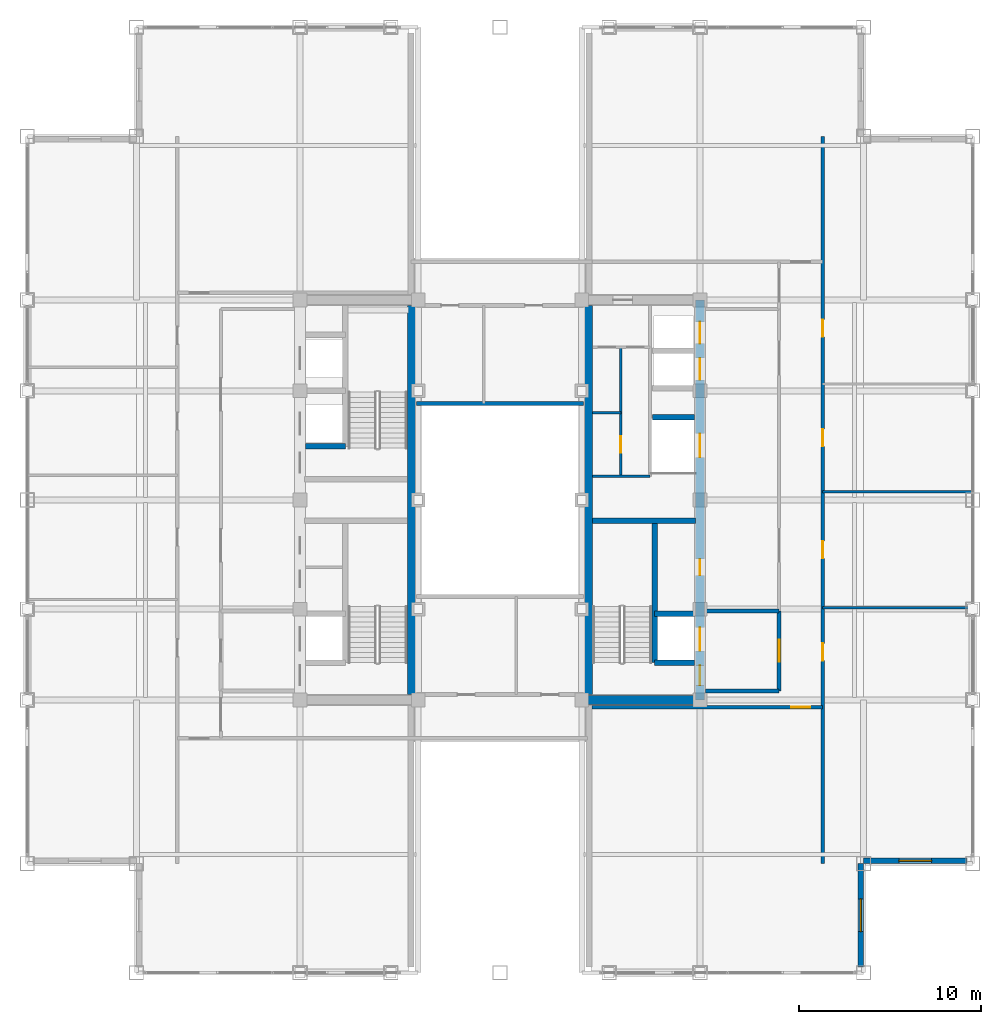
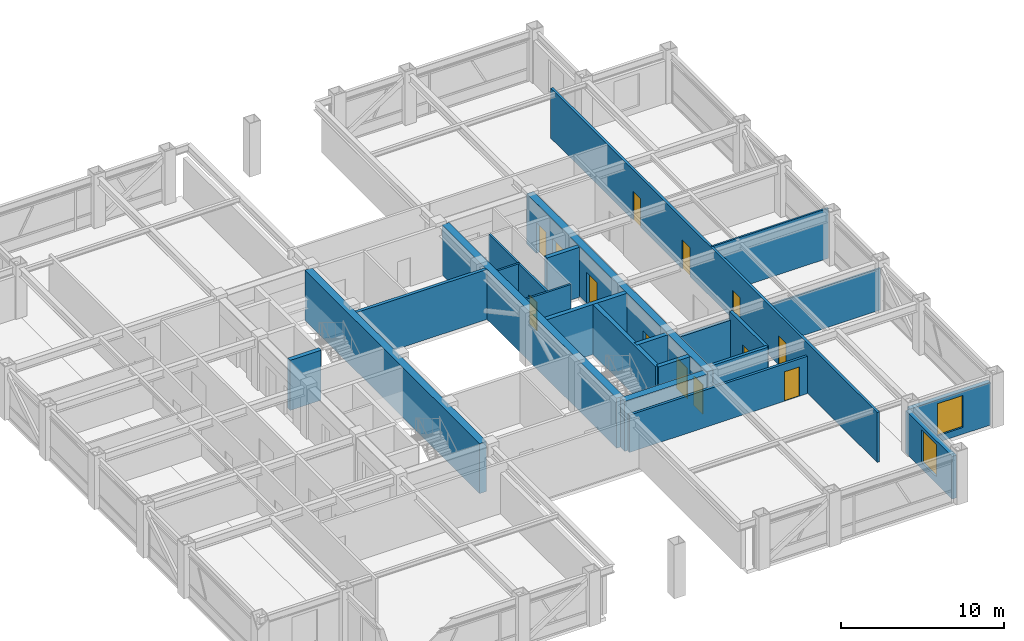
# One storey, part 26 of 29: 23 walls, 13 doors, 2 windows, 15 openings.
"""IFC4 building model written with IfcOpenShell, lengths in metres."""

from ifc_helpers import new_model, si_unit, direction, frame, frame_2d, origin, place, context, subcontext, project, spatial, rectangle, extrude, source, transform, mapped, material, layer, layer_set, type_object, element, fill, save


model = new_model("IFC4")

# Units and contexts
model_context = context("Model", 3, precision=1e-05, world=origin(), true_north=direction((0.0, 1.0)))
body_context = subcontext(model_context, "Body", "Model", "MODEL_VIEW")
ifc_project = project(units=[si_unit("LENGTHUNIT", "METRE"), si_unit("AREAUNIT", "SQUARE_METRE"), si_unit("VOLUMEUNIT", "CUBIC_METRE"), si_unit("PLANEANGLEUNIT", "RADIAN"), si_unit("MASSUNIT", "GRAM", prefix="KILO")], contexts=[model_context])

# Site, building, storey
site_placement = place(None, origin())
site = spatial("IfcSite", under=ifc_project, at=site_placement, CompositionType="ELEMENT")
building_placement = place(site_placement, origin())
building = spatial("IfcBuilding", under=site, at=building_placement, Name="Khorayat Bourse Tower", CompositionType="ELEMENT")
storey_placement = place(building_placement, frame((0.0, 0.0, 350.300048828125)))
storey = spatial("IfcBuildingStorey", under=building, at=storey_placement, Name="L83", CompositionType="ELEMENT", Elevation=350.300048828125)

# Wall, openings, doors
ifc_material_1 = material(Name="Concrete C52/65", Category="concrete")
ifc_layer_1 = layer(ifc_material_1, 0.5)
ifc_layer_set_1 = layer_set([ifc_layer_1], Name="Concrete C52/65")
wall_type_1 = type_object("IfcWallType", Name="WAL-CORE-500", PredefinedType="SHEAR", material=ifc_layer_set_1)
shared_shape_1 = source(origin(), body_context, "Body", "SweptSolid", [
    extrude(rectangle(XDim=22.0, YDim=0.5, at=frame_2d((11.0, 0.0))), origin(), (0.0, 0.0, 1.0), 3.739990234375),
])
wall_1_placement = place(storey_placement, frame((11.0, -11.0, 0.0), z_axis=(0.0, 0.0, 1.0), x_axis=(0.0, 1.0, 0.0)))
wall_1 = element("IfcWall", 1, at=wall_1_placement, inside=storey, type_object=wall_type_1, Name="L83 Core Shear Wall CORE-E", PredefinedType="SHEAR", context=body_context, shape_type="MappedRepresentation", body=[
    mapped(shared_shape_1, transform((0.0, 0.0, 0.0), scale=1.0)),
])
shared_shape_2 = source(origin(), body_context, "Body", "SweptSolid", [
    extrude(rectangle(XDim=1.10009765625, YDim=2.199951171875, at=frame_2d((0.550048828125, 1.10009765625))), frame((0.0, 0.260009765625, 0.0), z_axis=(0.0, -1.0, 0.0), x_axis=(1.0, 0.0, 0.0)), (0.0, 0.0, 1.0), 0.52001953125),
])
opening_1_placement = place(wall_1_placement, frame((0.800048828125, 0.0, 0.0)))
opening_1 = element("IfcOpeningElement", 2, at=opening_1_placement, cuts=wall_1, Name="Opening DI-01", PredefinedType="OPENING", context=body_context, shape_type="MappedRepresentation", body=[
    mapped(shared_shape_2, transform((0.0, 0.0, 0.0), scale=1.0)),
])
shared_shape_3 = source(origin(), body_context, "Body", "SweptSolid", [
    extrude(rectangle(XDim=0.89990234375, YDim=2.14990234375, at=frame_2d((0.449951171875, 1.074951171875))), frame((0.0, 0.260009765625, 0.0), z_axis=(0.0, -1.0, 0.0), x_axis=(1.0, 0.0, 0.0)), (0.0, 0.0, 1.0), 0.52001953125),
])
opening_2_placement = place(wall_1_placement, frame((6.85009765625, 0.0, 0.0)))
opening_2 = element("IfcOpeningElement", 3, at=opening_2_placement, cuts=wall_1, Name="Opening DI-06", PredefinedType="OPENING", context=body_context, shape_type="MappedRepresentation", body=[
    mapped(shared_shape_3, transform((0.0, 0.0, 0.0), scale=1.0)),
])
shared_shape_4 = source(origin(), body_context, "Body", "SweptSolid", [
    extrude(rectangle(XDim=1.199951171875, YDim=2.300048828125, at=frame_2d((0.60009765625, 1.14990234375))), frame((0.0, 0.260009765625, 0.0), z_axis=(0.0, -1.0, 0.0), x_axis=(1.0, 0.0, 0.0)), (0.0, 0.0, 1.0), 0.52001953125),
])
opening_3_placement = place(wall_1_placement, frame((17.60009765625, 0.0, 0.0)))
opening_3 = element("IfcOpeningElement", 4, at=opening_3_placement, cuts=wall_1, Name="Opening LD-01", PredefinedType="OPENING", context=body_context, shape_type="MappedRepresentation", body=[
    mapped(shared_shape_4, transform((0.0, 0.0, 0.0), scale=1.0)),
])
opening_4_placement = place(wall_1_placement, frame((19.60009765625, 0.0, 0.0)))
opening_4 = element("IfcOpeningElement", 5, at=opening_4_placement, cuts=wall_1, Name="Opening LD-01", PredefinedType="OPENING", context=body_context, shape_type="MappedRepresentation", body=[
    mapped(shared_shape_4, transform((0.0, 0.0, 0.0), scale=1.0)),
])
shared_shape_5 = source(origin(), body_context, "Body", "SweptSolid", [
    extrude(rectangle(XDim=1.300048828125, YDim=2.300048828125, at=frame_2d((0.64990234375, 1.14990234375))), frame((0.0, 0.260009765625, 0.0), z_axis=(0.0, -1.0, 0.0), x_axis=(1.0, 0.0, 0.0)), (0.0, 0.0, 1.0), 0.52001953125),
])
opening_5_placement = place(wall_1_placement, frame((2.699951171875, 0.0, 0.0)))
opening_5 = element("IfcOpeningElement", 6, at=opening_5_placement, cuts=wall_1, Name="Opening LD-02", PredefinedType="OPENING", context=body_context, shape_type="MappedRepresentation", body=[
    mapped(shared_shape_5, transform((0.0, 0.0, 0.0), scale=1.0)),
])
opening_6_placement = place(wall_1_placement, frame((13.35009765625, 0.0, 0.0)))
opening_6 = element("IfcOpeningElement", 7, at=opening_6_placement, cuts=wall_1, Name="Opening LD-02", PredefinedType="OPENING", context=body_context, shape_type="MappedRepresentation", body=[
    mapped(shared_shape_5, transform((0.0, 0.0, 0.0), scale=1.0)),
])
ifc_material_2 = material(Name="Fire-rated steel acoustic leaf", Category="steel")
door_type_1 = type_object("IfcDoorType", Name="DR-INT-STAIR-1100", OperationType="NOTDEFINED", PredefinedType="DOOR", material=ifc_material_2)
shared_shape_6 = source(origin(), body_context, "Body", "SweptSolid", [
    extrude(rectangle(XDim=1.10009765625, YDim=2.199951171875, at=frame_2d((0.550048828125, 1.10009765625))), frame((0.0, 0.02490234375, 0.0), z_axis=(0.0, -1.0, 0.0), x_axis=(1.0, 0.0, 0.0)), (0.0, 0.0, 1.0), 0.050048828125),
])
door_1_placement = place(opening_1_placement, origin())
door_1 = element("IfcDoor", 8, at=door_1_placement, inside=storey, type_object=door_type_1, Name="L83 Exit Stair 3 Door", OperationType="SINGLE_SWING_LEFT", OverallHeight=2.199951171875, OverallWidth=1.10009765625, PredefinedType="DOOR", context=body_context, shape_type="MappedRepresentation", body=[
    mapped(shared_shape_6, transform((0.0, 0.0, 0.0), scale=1.0)),
])
fill(opening_1, door_1)
ifc_material_3 = material(Name="Moisture-resistant laminate washroom door")
door_type_2 = type_object("IfcDoorType", Name="DR-INT-WC-900", OperationType="NOTDEFINED", PredefinedType="DOOR", material=ifc_material_3)
shared_shape_7 = source(origin(), body_context, "Body", "SweptSolid", [
    extrude(rectangle(XDim=0.89990234375, YDim=2.14990234375, at=frame_2d((0.449951171875, 1.074951171875))), frame((0.0, 0.02490234375, 0.0), z_axis=(0.0, -1.0, 0.0), x_axis=(1.0, 0.0, 0.0)), (0.0, 0.0, 1.0), 0.050048828125),
])
door_2_placement = place(opening_2_placement, origin())
door_2 = element("IfcDoor", 9, at=door_2_placement, inside=storey, type_object=door_type_2, Name="L83 Telecom Server Plant Room Door", OperationType="SINGLE_SWING_LEFT", OverallHeight=2.14990234375, OverallWidth=0.89990234375, PredefinedType="DOOR", context=body_context, shape_type="MappedRepresentation", body=[
    mapped(shared_shape_7, transform((0.0, 0.0, 0.0), scale=1.0)),
])
fill(opening_2, door_2)
ifc_material_4 = material(Name="Brushed bronze stainless-steel sliding door", Category="steel")
door_type_3 = type_object("IfcDoorType", Name="DR-LIFT-PASS-1200", OperationType="NOTDEFINED", PredefinedType="DOOR", material=ifc_material_4)
shared_shape_8 = source(origin(), body_context, "Body", "SweptSolid", [
    extrude(rectangle(XDim=1.199951171875, YDim=2.300048828125, at=frame_2d((0.60009765625, 1.14990234375))), frame((0.0, 0.02490234375, 0.0), z_axis=(0.0, -1.0, 0.0), x_axis=(1.0, 0.0, 0.0)), (0.0, 0.0, 1.0), 0.050048828125),
])
door_3_placement = place(opening_3_placement, origin())
door_3 = element("IfcDoor", 10, at=door_3_placement, inside=storey, type_object=door_type_3, Name="L83 Lift PL-H3 Sliding Landing Door", OperationType="SLIDING_TO_LEFT", OverallHeight=2.300048828125, OverallWidth=1.199951171875, PredefinedType="DOOR", context=body_context, shape_type="MappedRepresentation", body=[
    mapped(shared_shape_8, transform((0.0, 0.0, 0.0), scale=1.0)),
])
fill(opening_3, door_3)
door_4_placement = place(opening_4_placement, origin())
door_4 = element("IfcDoor", 11, at=door_4_placement, inside=storey, type_object=door_type_3, Name="L83 Lift PL-H4 Sliding Landing Door", OperationType="SLIDING_TO_LEFT", OverallHeight=2.300048828125, OverallWidth=1.199951171875, PredefinedType="DOOR", context=body_context, shape_type="MappedRepresentation", body=[
    mapped(shared_shape_8, transform((0.0, 0.0, 0.0), scale=1.0)),
])
fill(opening_4, door_4)
ifc_material_5 = material(Name="Fire-rated stainless-steel sliding landing door", Category="steel")
door_type_4 = type_object("IfcDoorType", Name="DR-LIFT-FF-1300", OperationType="NOTDEFINED", PredefinedType="DOOR", material=ifc_material_5)
shared_shape_9 = source(origin(), body_context, "Body", "SweptSolid", [
    extrude(rectangle(XDim=1.300048828125, YDim=2.300048828125, at=frame_2d((0.64990234375, 1.14990234375))), frame((0.0, 0.02490234375, 0.0), z_axis=(0.0, -1.0, 0.0), x_axis=(1.0, 0.0, 0.0)), (0.0, 0.0, 1.0), 0.050048828125),
])
door_5_placement = place(opening_5_placement, origin())
door_5 = element("IfcDoor", 12, at=door_5_placement, inside=storey, type_object=door_type_4, Name="L83 Lift FFL-02 Sliding Landing Door", OperationType="SLIDING_TO_LEFT", OverallHeight=2.300048828125, OverallWidth=1.300048828125, PredefinedType="DOOR", context=body_context, shape_type="MappedRepresentation", body=[
    mapped(shared_shape_9, transform((0.0, 0.0, 0.0), scale=1.0)),
])
fill(opening_5, door_5)
door_6_placement = place(opening_6_placement, origin())
door_6 = element("IfcDoor", 13, at=door_6_placement, inside=storey, type_object=door_type_4, Name="L83 Lift SVL-01 Sliding Landing Door", OperationType="SLIDING_TO_LEFT", OverallHeight=2.300048828125, OverallWidth=1.300048828125, PredefinedType="DOOR", context=body_context, shape_type="MappedRepresentation", body=[
    mapped(shared_shape_9, transform((0.0, 0.0, 0.0), scale=1.0)),
])
fill(opening_6, door_6)

# Walls
shared_shape_10 = source(origin(), body_context, "Body", "SweptSolid", [
    extrude(rectangle(XDim=21.39990234375, YDim=0.5, at=frame_2d((10.699951171875, 0.0))), origin(), (0.0, 0.0, 1.0), 3.739990234375),
])
for number, where, z_axis, x_axis, name in (
    (14, (-4.85009765625, -10.699951171875, 0.0), (0.0, 0.0, 1.0), (0.0, 1.0, 0.0), "L83 Core Shear Wall PIER-W"),
    (15, (4.85009765625, -10.699951171875, 0.0), (0.0, 0.0, 1.0), (0.0, 1.0, 0.0), "L83 Core Shear Wall PIER-E"),
):
    element("IfcWall", number, at=place(storey_placement, frame(where, z_axis=z_axis, x_axis=x_axis)), inside=storey, type_object=wall_type_1, Name=name, PredefinedType="SHEAR", context=body_context, shape_type="MappedRepresentation", body=[
        mapped(shared_shape_10, transform((0.0, 0.0, 0.0), scale=1.0)),
    ])
shared_shape_11 = source(origin(), body_context, "Body", "SweptSolid", [
    extrude(rectangle(XDim=5.89990234375, YDim=0.5, at=frame_2d((2.949951171875, 0.0))), origin(), (0.0, 0.0, 1.0), 3.739990234375),
])
wall_2_placement = place(storey_placement, frame((4.85009765625, -11.0, 0.0), z_axis=(0.0, 0.0, 1.0), x_axis=(1.0, 0.0, 0.0)))
element("IfcWall", 16, at=wall_2_placement, inside=storey, type_object=wall_type_1, Name="L83 Core Shear Wall PIER-ES", PredefinedType="SHEAR", context=body_context, shape_type="MappedRepresentation", body=[
    mapped(shared_shape_11, transform((0.0, 0.0, 0.0), scale=1.0)),
])
ifc_material_6 = material(Name="Concrete C50/60", Category="concrete")
ifc_layer_2 = layer(ifc_material_6, 0.300048828125)
ifc_layer_set_2 = layer_set([ifc_layer_2], Name="Concrete C50/60")
wall_type_2 = type_object("IfcWallType", Name="WAL-SHAFT-300", PredefinedType="SHEAR", material=ifc_layer_set_2)
shared_shape_12 = source(origin(), body_context, "Body", "SweptSolid", [
    extrude(rectangle(XDim=5.64990234375, YDim=0.300048828125, at=frame_2d((2.824951171875, 0.0))), origin(), (0.0, 0.0, 1.0), 3.739990234375),
])
wall_3_placement = place(storey_placement, frame((5.10009765625, -1.14990234375, 0.0), z_axis=(0.0, 0.0, 1.0), x_axis=(1.0, 0.0, 0.0)))
element("IfcWall", 17, at=wall_3_placement, inside=storey, type_object=wall_type_2, Name="L83 Core Shear Wall ST3-DIV", PredefinedType="SHEAR", context=body_context, shape_type="MappedRepresentation", body=[
    mapped(shared_shape_12, transform((0.0, 0.0, 0.0), scale=1.0)),
])

# Wall, opening, window
ifc_material_7 = material(Name="Precast concrete C45/55", Category="concrete")
ifc_layer_3 = layer(ifc_material_7, 0.320068359375)
ifc_layer_set_3 = layer_set([ifc_layer_3], Name="Precast concrete C45/55")
wall_type_3 = type_object("IfcWallType", Name="WAL-EXT-STONE-320", PredefinedType="STANDARD", material=ifc_layer_set_3)
shared_shape_13 = source(origin(), body_context, "Body", "SweptSolid", [
    extrude(rectangle(XDim=5.679931640625, YDim=0.320068359375, at=frame_2d((2.83984375, 0.0))), origin(), (0.0, 0.0, 1.0), 3.19091796875),
])
wall_4_placement = place(storey_placement, frame((19.840087890625, -25.679931640625, 0.0), z_axis=(0.0, 0.0, 1.0), x_axis=(0.0, 1.0, 0.0)))
wall_4 = element("IfcWall", 18, at=wall_4_placement, inside=storey, type_object=wall_type_3, Name="L83 Re-Entrant Notch Limestone Wall SE-V", PredefinedType="STANDARD", context=body_context, shape_type="MappedRepresentation", body=[
    mapped(shared_shape_13, transform((0.0, 0.0, 0.0), scale=1.0)),
])
shared_shape_14 = source(origin(), body_context, "Body", "SweptSolid", [
    extrude(rectangle(XDim=1.800048828125, YDim=2.39990234375, at=frame_2d((0.89990234375, 1.199951171875))), frame((0.0, 0.169921875, 0.0), z_axis=(0.0, -1.0, 0.0), x_axis=(1.0, 0.0, 0.0)), (0.0, 0.0, 1.0), 0.340087890625),
])
opening_7_placement = place(wall_4_placement, frame((1.93994140625, 0.0, 0.5)))
opening_7 = element("IfcOpeningElement", 19, at=opening_7_placement, cuts=wall_4, Name="Opening WN-04", PredefinedType="OPENING", context=body_context, shape_type="MappedRepresentation", body=[
    mapped(shared_shape_14, transform((0.0, 0.0, 0.0), scale=1.0)),
])
ifc_material_8 = material(Name="Low-E acoustic laminated double glazing", Category="glass")
window_type = type_object("IfcWindowType", Name="WIN-NOTCH-1800x2400", PartitioningType="SINGLE_PANEL", PredefinedType="WINDOW", material=ifc_material_8)
shared_shape_15 = source(origin(), body_context, "Body", "SweptSolid", [
    extrude(rectangle(XDim=1.800048828125, YDim=2.39990234375, at=frame_2d((0.89990234375, 1.199951171875))), frame((0.0, 0.030029296875, 0.0), z_axis=(0.0, -1.0, 0.0), x_axis=(1.0, 0.0, 0.0)), (0.0, 0.0, 1.0), 0.06005859375),
])
window_1_placement = place(opening_7_placement, origin())
window_1 = element("IfcWindow", 20, at=window_1_placement, inside=storey, type_object=window_type, Name="L83 Facade Window 1", OverallHeight=2.39990234375, OverallWidth=1.800048828125, PartitioningType="SINGLE_PANEL", PredefinedType="WINDOW", context=body_context, shape_type="MappedRepresentation", body=[
    mapped(shared_shape_15, transform((0.0, 0.0, 0.0), scale=1.0)),
])
fill(opening_7, window_1)

wall_5_placement = place(storey_placement, frame((20.0, -19.840087890625, 0.0), z_axis=(0.0, 0.0, 1.0), x_axis=(1.0, 0.0, 0.0)))
wall_5 = element("IfcWall", 21, at=wall_5_placement, inside=storey, type_object=wall_type_3, Name="L83 Re-Entrant Notch Limestone Wall SE-H", PredefinedType="STANDARD", context=body_context, shape_type="MappedRepresentation", body=[
    mapped(shared_shape_13, transform((0.0, 0.0, 0.0), scale=1.0)),
])
opening_8_placement = place(wall_5_placement, frame((1.93994140625, 0.0, 0.5)))
opening_8 = element("IfcOpeningElement", 22, at=opening_8_placement, cuts=wall_5, Name="Opening WN-04", PredefinedType="OPENING", context=body_context, shape_type="MappedRepresentation", body=[
    mapped(shared_shape_14, transform((0.0, 0.0, 0.0), scale=1.0)),
])
window_2_placement = place(opening_8_placement, origin())
window_2 = element("IfcWindow", 23, at=window_2_placement, inside=storey, type_object=window_type, Name="L83 Facade Window 1", OverallHeight=2.39990234375, OverallWidth=1.800048828125, PartitioningType="SINGLE_PANEL", PredefinedType="WINDOW", context=body_context, shape_type="MappedRepresentation", body=[
    mapped(shared_shape_15, transform((0.0, 0.0, 0.0), scale=1.0)),
])
fill(opening_8, window_2)

# Walls
shared_shape_16 = source(origin(), body_context, "Body", "SweptSolid", [
    extrude(rectangle(XDim=7.800048828125, YDim=0.300048828125, at=frame_2d((3.89990234375, 0.0))), origin(), (0.0, 0.0, 1.0), 3.739990234375),
])
wall_6_placement = place(storey_placement, frame((8.5, -8.949951171875, 0.0), z_axis=(0.0, 0.0, 1.0), x_axis=(0.0, 1.0, 0.0)))
element("IfcWall", 24, at=wall_6_placement, inside=storey, type_object=wall_type_2, Name="L83 Partition WAL-L83-EPIER-SP", PredefinedType="SHEAR", context=body_context, shape_type="MappedRepresentation", body=[
    mapped(shared_shape_16, transform((0.0, 0.0, 0.0), scale=1.0)),
])
shared_shape_17 = source(origin(), body_context, "Body", "SweptSolid", [
    extrude(rectangle(XDim=2.199951171875, YDim=0.300048828125, at=frame_2d((1.10009765625, 0.0))), origin(), (0.0, 0.0, 1.0), 3.739990234375),
])
for number, where, z_axis, x_axis, name in (
    (25, (-10.699951171875, 2.949951171875, 0.0), (0.0, 0.0, 1.0), (1.0, 0.0, 0.0), "L83 Partition WAL-L83-WPIER-H1S"),
    (26, (8.5, -8.949951171875, 0.0), (0.0, 0.0, 1.0), (1.0, 0.0, 0.0), "L83 Partition WAL-L83-EPIER-FF2S"),
    (27, (8.5, -6.25, 0.0), (0.0, 0.0, 1.0), (1.0, 0.0, 0.0), "L83 Partition WAL-L83-EPIER-FF2N"),
):
    element("IfcWall", number, at=place(storey_placement, frame(where, z_axis=z_axis, x_axis=x_axis)), inside=storey, type_object=wall_type_2, Name=name, PredefinedType="SHEAR", context=body_context, shape_type="MappedRepresentation", body=[
        mapped(shared_shape_17, transform((0.0, 0.0, 0.0), scale=1.0)),
    ])
shared_shape_18 = source(origin(), body_context, "Body", "SweptSolid", [
    extrude(rectangle(XDim=2.300048828125, YDim=0.300048828125, at=frame_2d((1.14990234375, 0.0))), origin(), (0.0, 0.0, 1.0), 3.739990234375),
])
wall_7_placement = place(storey_placement, frame((8.39990234375, 4.550048828125, 0.0), z_axis=(0.0, 0.0, 1.0), x_axis=(1.0, 0.0, 0.0)))
element("IfcWall", 28, at=wall_7_placement, inside=storey, type_object=wall_type_2, Name="L83 Partition WAL-L83-EPIER-SVLN", PredefinedType="SHEAR", context=body_context, shape_type="MappedRepresentation", body=[
    mapped(shared_shape_18, transform((0.0, 0.0, 0.0), scale=1.0)),
])
ifc_material_9 = material(Name="Moisture-resistant masonry partition", Category="masonry")
ifc_layer_4 = layer(ifc_material_9, 0.139892578125)
ifc_layer_set_4 = layer_set([ifc_layer_4], Name="Moisture-resistant masonry partition")
wall_type_4 = type_object("IfcWallType", Name="WAL-PART-WET-140", PredefinedType="PARTITIONING", material=ifc_layer_set_4)
shared_shape_19 = source(origin(), body_context, "Body", "SweptSolid", [
    extrude(rectangle(XDim=3.14990234375, YDim=0.139892578125, at=frame_2d((1.574951171875, 0.0))), origin(), (0.0, 0.0, 1.0), 3.739990234375),
])
wall_8_placement = place(storey_placement, frame((5.10009765625, 1.300048828125, 0.0), z_axis=(0.0, 0.0, 1.0), x_axis=(1.0, 0.0, 0.0)))
element("IfcWall", 29, at=wall_8_placement, inside=storey, type_object=wall_type_4, Name="L83 Partition WAL-L83-ECORE-S", PredefinedType="PARTITIONING", context=body_context, shape_type="MappedRepresentation", body=[
    mapped(shared_shape_19, transform((0.0, 0.0, 0.0), scale=1.0)),
])
ifc_material_10 = material(Name="Aerated concrete blockwork", Category="masonry")
ifc_layer_5 = layer(ifc_material_10, 0.219970703125)
ifc_layer_set_5 = layer_set([ifc_layer_5], Name="Aerated concrete blockwork")
wall_type_5 = type_object("IfcWallType", Name="WAL-PART-FF-220", PredefinedType="PARTITIONING", material=ifc_layer_set_5)
shared_shape_20 = source(origin(), body_context, "Body", "SweptSolid", [
    extrude(rectangle(XDim=4.050048828125, YDim=0.219970703125, at=frame_2d((2.02490234375, 0.0))), origin(), (0.0, 0.0, 1.0), 3.739990234375),
])
wall_9_placement = place(storey_placement, frame((11.300048828125, -10.5, 0.0), z_axis=(0.0, 0.0, 1.0), x_axis=(1.0, 0.0, 0.0)))
element("IfcWall", 30, at=wall_9_placement, inside=storey, type_object=wall_type_5, Name="L83 Partition WAL-L83-FFLE-S", PredefinedType="PARTITIONING", context=body_context, shape_type="MappedRepresentation", body=[
    mapped(shared_shape_20, transform((0.0, 0.0, 0.0), scale=1.0)),
])
shared_shape_21 = source(origin(), body_context, "Body", "SweptSolid", [
    extrude(rectangle(XDim=4.050048828125, YDim=0.219970703125, at=frame_2d((2.02490234375, 0.0))), origin(), (0.0, 0.0, 1.0), 3.1240234375),
])
wall_10_placement = place(storey_placement, frame((11.300048828125, -6.10009765625, 0.0), z_axis=(0.0, 0.0, 1.0), x_axis=(1.0, 0.0, 0.0)))
element("IfcWall", 31, at=wall_10_placement, inside=storey, type_object=wall_type_5, Name="L83 Partition WAL-L83-FFLE-N", PredefinedType="PARTITIONING", context=body_context, shape_type="MappedRepresentation", body=[
    mapped(shared_shape_21, transform((0.0, 0.0, 0.0), scale=1.0)),
])

# Wall, opening, door
shared_shape_22 = source(origin(), body_context, "Body", "SweptSolid", [
    extrude(rectangle(XDim=4.39990234375, YDim=0.219970703125, at=frame_2d((2.199951171875, 0.0))), origin(), (0.0, 0.0, 1.0), 3.739990234375),
])
wall_11_placement = place(storey_placement, frame((15.35009765625, -10.5, 0.0), z_axis=(0.0, 0.0, 1.0), x_axis=(0.0, 1.0, 0.0)))
wall_11 = element("IfcWall", 32, at=wall_11_placement, inside=storey, type_object=wall_type_5, Name="L83 Partition WAL-L83-FFLE-E", PredefinedType="PARTITIONING", context=body_context, shape_type="MappedRepresentation", body=[
    mapped(shared_shape_22, transform((0.0, 0.0, 0.0), scale=1.0)),
])
shared_shape_23 = source(origin(), body_context, "Body", "SweptSolid", [
    extrude(rectangle(XDim=1.199951171875, YDim=2.199951171875, at=frame_2d((0.60009765625, 1.10009765625))), frame((0.0, 0.119873046875, 0.0), z_axis=(0.0, -1.0, 0.0), x_axis=(1.0, 0.0, 0.0)), (0.0, 0.0, 1.0), 0.239990234375),
])
opening_9_placement = place(wall_11_placement, frame((1.60009765625, 0.0, 0.0)))
opening_9 = element("IfcOpeningElement", 33, at=opening_9_placement, cuts=wall_11, Name="Opening DI-02", PredefinedType="OPENING", context=body_context, shape_type="MappedRepresentation", body=[
    mapped(shared_shape_23, transform((0.0, 0.0, 0.0), scale=1.0)),
])
ifc_material_11 = material(Name="Fire-rated steel double-seal leaf", Category="steel")
door_type_5 = type_object("IfcDoorType", Name="DR-INT-FFLOBBY-1200", OperationType="NOTDEFINED", PredefinedType="DOOR", material=ifc_material_11)
shared_shape_24 = source(origin(), body_context, "Body", "SweptSolid", [
    extrude(rectangle(XDim=1.199951171875, YDim=2.199951171875, at=frame_2d((0.60009765625, 1.10009765625))), frame((0.0, 0.02490234375, 0.0), z_axis=(0.0, -1.0, 0.0), x_axis=(1.0, 0.0, 0.0)), (0.0, 0.0, 1.0), 0.050048828125),
])
door_7_placement = place(opening_9_placement, origin())
door_7 = element("IfcDoor", 34, at=door_7_placement, inside=storey, type_object=door_type_5, Name="L83 East Firefighting Lobby Door", OperationType="SINGLE_SWING_RIGHT", OverallHeight=2.199951171875, OverallWidth=1.199951171875, PredefinedType="DOOR", context=body_context, shape_type="MappedRepresentation", body=[
    mapped(shared_shape_24, transform((0.0, 0.0, 0.0), scale=1.0)),
])
fill(opening_9, door_7)

# Wall
shared_shape_25 = source(origin(), body_context, "Body", "SweptSolid", [
    extrude(rectangle(XDim=9.2001953125, YDim=0.219970703125, at=frame_2d((4.60009765625, 0.0))), origin(), (0.0, 0.0, 1.0), 3.739990234375),
])
wall_12_placement = place(storey_placement, frame((-4.60009765625, 5.300048828125, 0.0), z_axis=(0.0, 0.0, 1.0), x_axis=(1.0, 0.0, 0.0)))
element("IfcWall", 35, at=wall_12_placement, inside=storey, type_object=wall_type_5, Name="L83 Partition WAL-L83-WPB2-S", PredefinedType="PARTITIONING", context=body_context, shape_type="MappedRepresentation", body=[
    mapped(shared_shape_25, transform((0.0, 0.0, 0.0), scale=1.0)),
])

# Wall, opening, door
ifc_material_12 = material(Name="Gypsum plasterboard acoustic stud wall")
ifc_layer_6 = layer(ifc_material_12, 0.179931640625)
ifc_layer_set_6 = layer_set([ifc_layer_6], Name="Gypsum plasterboard acoustic stud wall")
wall_type_6 = type_object("IfcWallType", Name="WAL-PART-CORR-180", PredefinedType="PARTITIONING", material=ifc_layer_set_6)
shared_shape_26 = source(origin(), body_context, "Body", "SweptSolid", [
    extrude(rectangle(XDim=12.699951171875, YDim=0.179931640625, at=frame_2d((6.35009765625, 0.0))), origin(), (0.0, 0.0, 1.0), 2.7900390625),
])
wall_13_placement = place(storey_placement, frame((5.050048828125, -11.39990234375, 0.0), z_axis=(0.0, 0.0, 1.0), x_axis=(1.0, 0.0, 0.0)))
wall_13 = element("IfcWall", 36, at=wall_13_placement, inside=storey, type_object=wall_type_6, Name="L83 Partition WAL-L83-EPS-N", PredefinedType="PARTITIONING", context=body_context, shape_type="MappedRepresentation", body=[
    mapped(shared_shape_26, transform((0.0, 0.0, 0.0), scale=1.0)),
])
shared_shape_27 = source(origin(), body_context, "Body", "SweptSolid", [
    extrude(rectangle(XDim=1.050048828125, YDim=2.199951171875, at=frame_2d((0.52490234375, 1.10009765625))), frame((0.0, 0.099853515625, 0.0), z_axis=(0.0, -1.0, 0.0), x_axis=(1.0, 0.0, 0.0)), (0.0, 0.0, 1.0), 0.199951171875),
])
opening_10_placement = place(wall_13_placement, frame((10.97509765625, 0.0, 0.0)))
opening_10 = element("IfcOpeningElement", 37, at=opening_10_placement, cuts=wall_13, Name="Opening DI-04", PredefinedType="OPENING", context=body_context, shape_type="MappedRepresentation", body=[
    mapped(shared_shape_27, transform((0.0, 0.0, 0.0), scale=1.0)),
])
ifc_material_13 = material(Name="Fire-rated oak veneer suite entrance door")
door_type_6 = type_object("IfcDoorType", Name="DR-INT-SUITE-1050", OperationType="NOTDEFINED", PredefinedType="DOOR", material=ifc_material_13)
shared_shape_28 = source(origin(), body_context, "Body", "SweptSolid", [
    extrude(rectangle(XDim=1.050048828125, YDim=2.199951171875, at=frame_2d((0.52490234375, 1.10009765625))), frame((0.0, 0.02490234375, 0.0), z_axis=(0.0, -1.0, 0.0), x_axis=(1.0, 0.0, 0.0)), (0.0, 0.0, 1.0), 0.050048828125),
])
door_8_placement = place(opening_10_placement, origin())
door_8 = element("IfcDoor", 38, at=door_8_placement, inside=storey, type_object=door_type_6, Name="L83 East Portal Lounge Door", OperationType="SINGLE_SWING_LEFT", OverallHeight=2.199951171875, OverallWidth=1.050048828125, PredefinedType="DOOR", context=body_context, shape_type="MappedRepresentation", body=[
    mapped(shared_shape_28, transform((0.0, 0.0, 0.0), scale=1.0)),
])
fill(opening_10, door_8)

# Wall
ifc_material_14 = material(Name="Gypsum plasterboard partition")
ifc_layer_7 = layer(ifc_material_14, 0.125)
ifc_layer_set_7 = layer_set([ifc_layer_7], Name="Gypsum plasterboard partition")
wall_type_7 = type_object("IfcWallType", Name="WAL-PART-ROOM-125", PredefinedType="PARTITIONING", material=ifc_layer_set_7)
shared_shape_29 = source(origin(), body_context, "Body", "SweptSolid", [
    extrude(rectangle(XDim=8.25, YDim=0.125, at=frame_2d((4.125, 0.0))), origin(), (0.0, 0.0, 1.0), 3.739990234375),
])
wall_14_placement = place(storey_placement, frame((17.75, 0.4560546875, 0.0), z_axis=(0.0, 0.0, 1.0), x_axis=(1.0, 0.0, 0.0)))
element("IfcWall", 39, at=wall_14_placement, inside=storey, type_object=wall_type_7, Name="L83 Partition WAL-L83-WPEDV-2", PredefinedType="PARTITIONING", context=body_context, shape_type="MappedRepresentation", body=[
    mapped(shared_shape_29, transform((0.0, 0.0, 0.0), scale=1.0)),
])

# Wall, openings, doors
shared_shape_30 = source(origin(), body_context, "Body", "SweptSolid", [
    extrude(rectangle(XDim=40.0, YDim=0.179931640625, at=frame_2d((20.0, 0.0))), origin(), (0.0, 0.0, 1.0), 3.739990234375),
])
wall_15_placement = place(storey_placement, frame((17.75, -20.0, 0.0), z_axis=(0.0, 0.0, 1.0), x_axis=(0.0, 1.0, 0.0)))
wall_15 = element("IfcWall", 40, at=wall_15_placement, inside=storey, type_object=wall_type_6, Name="L83 Partition WAL-L83-WPECORR", PredefinedType="PARTITIONING", context=body_context, shape_type="MappedRepresentation", body=[
    mapped(shared_shape_30, transform((0.0, 0.0, 0.0), scale=1.0)),
])
shared_shape_31 = source(origin(), body_context, "Body", "SweptSolid", [
    extrude(rectangle(XDim=0.949951171875, YDim=2.14990234375, at=frame_2d((0.47509765625, 1.074951171875))), frame((0.0, 0.099853515625, 0.0), z_axis=(0.0, -1.0, 0.0), x_axis=(1.0, 0.0, 0.0)), (0.0, 0.0, 1.0), 0.199951171875),
])
opening_11_placement = place(wall_15_placement, frame((11.160888671875, 0.0, 0.0)))
opening_11 = element("IfcOpeningElement", 41, at=opening_11_placement, cuts=wall_15, Name="Opening DI-05", PredefinedType="OPENING", context=body_context, shape_type="MappedRepresentation", body=[
    mapped(shared_shape_31, transform((0.0, 0.0, 0.0), scale=1.0)),
])
opening_12_placement = place(wall_15_placement, frame((16.7890625, 0.0, 0.0)))
opening_12 = element("IfcOpeningElement", 42, at=opening_12_placement, cuts=wall_15, Name="Opening DI-05", PredefinedType="OPENING", context=body_context, shape_type="MappedRepresentation", body=[
    mapped(shared_shape_31, transform((0.0, 0.0, 0.0), scale=1.0)),
])
opening_13_placement = place(wall_15_placement, frame((22.945068359375, 0.0, 0.0)))
opening_13 = element("IfcOpeningElement", 43, at=opening_13_placement, cuts=wall_15, Name="Opening DI-05", PredefinedType="OPENING", context=body_context, shape_type="MappedRepresentation", body=[
    mapped(shared_shape_31, transform((0.0, 0.0, 0.0), scale=1.0)),
])
opening_14_placement = place(wall_15_placement, frame((28.967041015625, 0.0, 0.0)))
opening_14 = element("IfcOpeningElement", 44, at=opening_14_placement, cuts=wall_15, Name="Opening DI-05", PredefinedType="OPENING", context=body_context, shape_type="MappedRepresentation", body=[
    mapped(shared_shape_31, transform((0.0, 0.0, 0.0), scale=1.0)),
])
ifc_material_15 = material(Name="Acoustic oak veneer office door")
door_type_7 = type_object("IfcDoorType", Name="DR-INT-OFFICE-950", OperationType="NOTDEFINED", PredefinedType="DOOR", material=ifc_material_15)
shared_shape_32 = source(origin(), body_context, "Body", "SweptSolid", [
    extrude(rectangle(XDim=0.949951171875, YDim=2.14990234375, at=frame_2d((0.47509765625, 1.074951171875))), frame((0.0, 0.02490234375, 0.0), z_axis=(0.0, -1.0, 0.0), x_axis=(1.0, 0.0, 0.0)), (0.0, 0.0, 1.0), 0.050048828125),
])
door_9_placement = place(opening_11_placement, origin())
door_9 = element("IfcDoor", 45, at=door_9_placement, inside=storey, type_object=door_type_7, Name="L83 Market Risk Analytics Workspace WPE1 Door", OperationType="SINGLE_SWING_RIGHT", OverallHeight=2.14990234375, OverallWidth=0.949951171875, PredefinedType="DOOR", context=body_context, shape_type="MappedRepresentation", body=[
    mapped(shared_shape_32, transform((0.0, 0.0, 0.0), scale=1.0)),
])
fill(opening_11, door_9)
door_10_placement = place(opening_12_placement, origin())
door_10 = element("IfcDoor", 46, at=door_10_placement, inside=storey, type_object=door_type_7, Name="L83 Market Reference Library WPE2 Door", OperationType="SINGLE_SWING_LEFT", OverallHeight=2.14990234375, OverallWidth=0.949951171875, PredefinedType="DOOR", context=body_context, shape_type="MappedRepresentation", body=[
    mapped(shared_shape_32, transform((0.0, 0.0, 0.0), scale=1.0)),
])
fill(opening_12, door_10)
door_11_placement = place(opening_13_placement, origin())
door_11 = element("IfcDoor", 47, at=door_11_placement, inside=storey, type_object=door_type_7, Name="L83 Members Exchange Lounge WPE3 Door", OperationType="SINGLE_SWING_RIGHT", OverallHeight=2.14990234375, OverallWidth=0.949951171875, PredefinedType="DOOR", context=body_context, shape_type="MappedRepresentation", body=[
    mapped(shared_shape_32, transform((0.0, 0.0, 0.0), scale=1.0)),
])
fill(opening_13, door_11)
door_12_placement = place(opening_14_placement, origin())
door_12 = element("IfcDoor", 48, at=door_12_placement, inside=storey, type_object=door_type_7, Name="L83 Equities Trading Desk WPE4 Door", OperationType="SINGLE_SWING_LEFT", OverallHeight=2.14990234375, OverallWidth=0.949951171875, PredefinedType="DOOR", context=body_context, shape_type="MappedRepresentation", body=[
    mapped(shared_shape_32, transform((0.0, 0.0, 0.0), scale=1.0)),
])
fill(opening_14, door_12)

# Wall
shared_shape_33 = source(origin(), body_context, "Body", "SweptSolid", [
    extrude(rectangle(XDim=8.25, YDim=0.125, at=frame_2d((4.125, 0.0))), origin(), (0.0, 0.0, 1.0), 3.1240234375),
])
wall_16_placement = place(storey_placement, frame((17.75, -5.927978515625, 0.0), z_axis=(0.0, 0.0, 1.0), x_axis=(1.0, 0.0, 0.0)))
element("IfcWall", 49, at=wall_16_placement, inside=storey, type_object=wall_type_7, Name="L83 Partition WAL-L83-WPEDV-1", PredefinedType="PARTITIONING", context=body_context, shape_type="MappedRepresentation", body=[
    mapped(shared_shape_33, transform((0.0, 0.0, 0.0), scale=1.0)),
])

# Wall, opening, door
shared_shape_34 = source(origin(), body_context, "Body", "SweptSolid", [
    extrude(rectangle(XDim=7.099853515625, YDim=0.139892578125, at=frame_2d((3.5498046875, 0.0))), origin(), (0.0, 0.0, 1.0), 3.739990234375),
])
wall_17_placement = place(storey_placement, frame((6.64990234375, 1.300048828125, 0.0), z_axis=(0.0, 0.0, 1.0), x_axis=(0.0, 1.0, 0.0)))
wall_17 = element("IfcWall", 50, at=wall_17_placement, inside=storey, type_object=wall_type_4, Name="L83 Partition WAL-L83-ECW-MID", PredefinedType="PARTITIONING", context=body_context, shape_type="MappedRepresentation", body=[
    mapped(shared_shape_34, transform((0.0, 0.0, 0.0), scale=1.0)),
])
shared_shape_35 = source(origin(), body_context, "Body", "SweptSolid", [
    extrude(rectangle(XDim=0.89990234375, YDim=2.14990234375, at=frame_2d((0.449951171875, 1.074951171875))), frame((0.0, 0.079833984375, 0.0), z_axis=(0.0, -1.0, 0.0), x_axis=(1.0, 0.0, 0.0)), (0.0, 0.0, 1.0), 0.159912109375),
])
opening_15_placement = place(wall_17_placement, frame((1.300048828125, 0.0, 0.0)))
opening_15 = element("IfcOpeningElement", 51, at=opening_15_placement, cuts=wall_17, Name="Opening DI-06", PredefinedType="OPENING", context=body_context, shape_type="MappedRepresentation", body=[
    mapped(shared_shape_35, transform((0.0, 0.0, 0.0), scale=1.0)),
])
door_13_placement = place(opening_15_placement, origin())
door_13 = element("IfcDoor", 52, at=door_13_placement, inside=storey, type_object=door_type_2, Name="L83 Janitor Store Door", OperationType="SINGLE_SWING_LEFT", OverallHeight=2.14990234375, OverallWidth=0.89990234375, PredefinedType="DOOR", context=body_context, shape_type="MappedRepresentation", body=[
    mapped(shared_shape_7, transform((0.0, 0.0, 0.0), scale=1.0)),
])
fill(opening_15, door_13)

# Wall
shared_shape_36 = source(origin(), body_context, "Body", "SweptSolid", [
    extrude(rectangle(XDim=1.5498046875, YDim=0.139892578125, at=frame_2d((0.77490234375, 0.0))), origin(), (0.0, 0.0, 1.0), 3.739990234375),
])
wall_18_placement = place(storey_placement, frame((5.10009765625, 4.800048828125, 0.0), z_axis=(0.0, 0.0, 1.0), x_axis=(1.0, 0.0, 0.0)))
element("IfcWall", 53, at=wall_18_placement, inside=storey, type_object=wall_type_4, Name="L83 Partition WAL-L83-ECW-BOT", PredefinedType="PARTITIONING", context=body_context, shape_type="MappedRepresentation", body=[
    mapped(shared_shape_36, transform((0.0, 0.0, 0.0), scale=1.0)),
])

save(model, "model.ifc")
